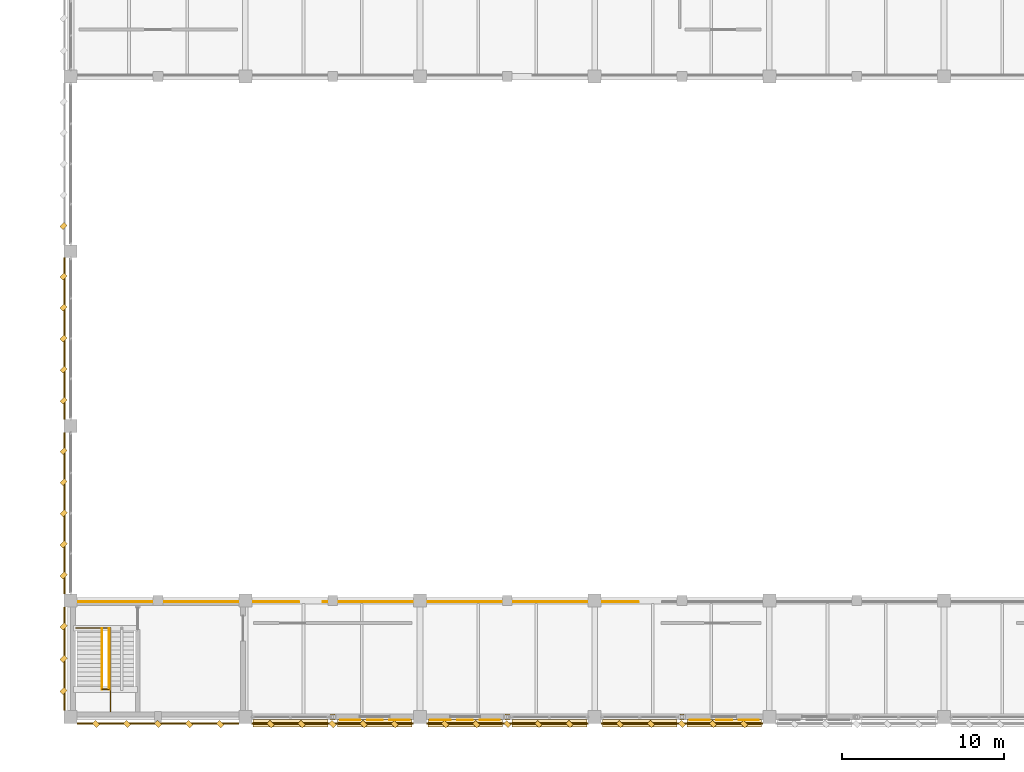
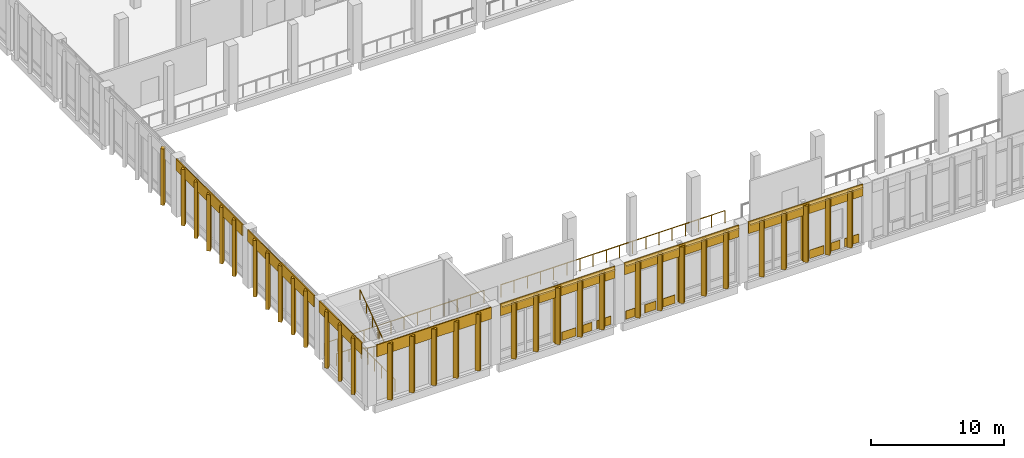
# One storey, part 164 of 180: 59 coverings, 6 railings.
"""IFC4 building model written with IfcOpenShell, lengths in metres."""

from ifc_helpers import new_model, si_unit, direction, frame, origin, origin_2d, place, context, subcontext, project, spatial, rectangle, circle, extrude, material, layer, layer_set, type_object, element, save


model = new_model("IFC4")

# Units and contexts
model_context = context("Model", 3, precision=1e-05, world=origin(), true_north=direction((0.0, 1.0)))
body_context = subcontext(model_context, "Body", "Model", "MODEL_VIEW")
ifc_project = project(units=[si_unit("LENGTHUNIT", "METRE"), si_unit("AREAUNIT", "SQUARE_METRE"), si_unit("VOLUMEUNIT", "CUBIC_METRE"), si_unit("PLANEANGLEUNIT", "RADIAN"), si_unit("MASSUNIT", "GRAM", prefix="KILO")], contexts=[model_context])

# Site, building, storey
site_placement = place(None, origin())
site = spatial("IfcSite", under=ifc_project, at=site_placement, CompositionType="ELEMENT")
building_placement = place(site_placement, origin())
building = spatial("IfcBuilding", under=site, at=building_placement, Name="Lusvemor Sports Hall", CompositionType="ELEMENT")
storey_placement = place(building_placement, frame((0.0, 0.0, 5.39990234375)))
storey = spatial("IfcBuildingStorey", under=building, at=storey_placement, Name="L01", CompositionType="ELEMENT", Elevation=5.39990234375)

# Coverings
ifc_material_1 = material(Name="Precast granite-faced Concrete C40/50 architectural cladding", Category="masonry")
ifc_layer_1 = layer(ifc_material_1, 0.055908203125)
ifc_layer_set_1 = layer_set([ifc_layer_1], Name="Precast granite-faced Concrete C40/50 architectural cladding")
covering_type_1 = type_object("IfcCoveringType", Name="CLAD_RELIEF_FRIEZE", PredefinedType="CLADDING", material=ifc_layer_set_1)
for number, where, z_axis, x_axis, name in (
    (1, (16.199951171875, 0.0, 0.0), (0.0, 0.0, 1.0), (1.0, 0.0, 0.0), "Boulevard L01 Pilaster Pier Casing S1"),
    (2, (27.0, 0.0, 0.0), (0.0, 0.0, 1.0), (1.0, 0.0, 0.0), "Boulevard L01 Pilaster Pier Casing S2"),
    (3, (37.800048828125, 0.0, 0.0), (0.0, 0.0, 1.0), (1.0, 0.0, 0.0), "Boulevard L01 Pilaster Pier Casing S3"),
):
    element("IfcCovering", number, at=place(storey_placement, frame(where, z_axis=z_axis, x_axis=x_axis)), inside=storey, type_object=covering_type_1, Name=name, PredefinedType="CLADDING", context=body_context, shape_type="SweptSolid", body=[
        extrude(rectangle(XDim=0.27001953125, YDim=0.3798828125, at=origin_2d()), origin(), (0.0, 0.0, 1.0), 4.699951171875),
    ])
ifc_material_2 = material(Name="Emerald polychrome glazed ceramic cladding on Concrete C40/50 backing", Category="concrete")
ifc_layer_2 = layer(ifc_material_2, 0.0458984375)
ifc_layer_set_2 = layer_set([ifc_layer_2], Name="Emerald polychrome glazed ceramic cladding on Concrete C40/50 backing")
covering_type_2 = type_object("IfcCoveringType", Name="CLAD_WAVE_EMERALD", PredefinedType="CLADDING", material=ifc_layer_set_2)
for number, where, z_axis, x_axis, name in (
    (4, (17.2900390625, -0.1904296875, 0.050048828125), (0.0, 0.0, 1.0), (1.0, 0.0, 0.0), "Art Nouveau Patterned Cladding PS-V1S1-1-2-1"),
    (5, (20.330078125, -0.1904296875, 0.050048828125), (0.0, 0.0, 1.0), (1.0, 0.0, 0.0), "Art Nouveau Patterned Cladding PS-V1S1-1-2-3"),
    (6, (22.8701171875, -0.1904296875, 0.050048828125), (0.0, 0.0, 1.0), (1.0, 0.0, 0.0), "Art Nouveau Patterned Cladding PS-V1S1-2-1-1"),
    (7, (25.909912109375, -0.1904296875, 0.050048828125), (0.0, 0.0, 1.0), (1.0, 0.0, 0.0), "Art Nouveau Patterned Cladding PS-V1S1-2-1-3"),
    (8, (38.889892578125, -0.1904296875, 0.050048828125), (0.0, 0.0, 1.0), (1.0, 0.0, 0.0), "Art Nouveau Patterned Cladding PS-V1S1-3-2-1"),
    (9, (41.929931640625, -0.1904296875, 0.050048828125), (0.0, 0.0, 1.0), (1.0, 0.0, 0.0), "Art Nouveau Patterned Cladding PS-V1S1-3-2-3"),
):
    element("IfcCovering", number, at=place(storey_placement, frame(where, z_axis=z_axis, x_axis=x_axis)), inside=storey, type_object=covering_type_2, Name=name, PredefinedType="CLADDING", context=body_context, shape_type="SweptSolid", body=[
        extrude(rectangle(XDim=1.246337890625, YDim=0.0458984375, at=origin_2d()), origin(), (0.0, 0.0, 1.0), 0.77001953125),
    ])
for number, where, z_axis, x_axis, name in (
    (10, (3.47998046875, -0.43994140625, 0.10009765625), (0.0, 0.0, 1.0), (0.707106781187, 0.707106781187, 0.0), "Patterned Diamond Cladding Rib 17"),
    (11, (7.320068359375, -0.43994140625, 0.10009765625), (0.0, 0.0, 1.0), (0.707106781187, 0.707106781187, 0.0), "Patterned Diamond Cladding Rib 19"),
    (12, (14.280029296875, -0.43994140625, 0.10009765625), (0.0, 0.0, 1.0), (0.707106781187, 0.707106781187, 0.0), "Patterned Diamond Cladding Rib 35"),
    (13, (18.1201171875, -0.43994140625, 0.10009765625), (0.0, 0.0, 1.0), (0.707106781187, 0.707106781187, 0.0), "Patterned Diamond Cladding Rib 37"),
    (14, (25.080078125, -0.43994140625, 0.10009765625), (0.0, 0.0, 1.0), (0.707106781187, 0.707106781187, 0.0), "Patterned Diamond Cladding Rib 53"),
    (15, (28.919921875, -0.43994140625, 0.10009765625), (0.0, 0.0, 1.0), (0.707106781187, 0.707106781187, 0.0), "Patterned Diamond Cladding Rib 55"),
    (16, (35.8798828125, -0.43994140625, 0.10009765625), (0.0, 0.0, 1.0), (0.707106781187, 0.707106781187, 0.0), "Patterned Diamond Cladding Rib 71"),
    (17, (39.719970703125, -0.43994140625, 0.10009765625), (0.0, 0.0, 1.0), (0.707106781187, 0.707106781187, 0.0), "Patterned Diamond Cladding Rib 73"),
):
    element("IfcCovering", number, at=place(storey_placement, frame(where, z_axis=z_axis, x_axis=x_axis)), inside=storey, type_object=covering_type_2, Name=name, PredefinedType="CLADDING", context=body_context, shape_type="SweptSolid", body=[
        extrude(rectangle(XDim=0.280029296875, YDim=0.3798828125, at=origin_2d()), origin(), (0.0, 0.0, 1.0), 5.199951171875),
    ])
for number, where, z_axis, x_axis, name in (
    (18, (-0.43994140625, 3.60009765625, 0.10009765625), (0.0, 0.0, 1.0), (0.707106781187, 0.707106781187, 0.0), "Patterned Diamond Cladding Rib 907"),
    (19, (-0.43994140625, 10.679931640625, 0.10009765625), (0.0, 0.0, 1.0), (0.707106781187, 0.707106781187, 0.0), "Patterned Diamond Cladding Rib 921"),
    (20, (-0.43994140625, 14.52001953125, 0.10009765625), (0.0, 0.0, 1.0), (0.707106781187, 0.707106781187, 0.0), "Patterned Diamond Cladding Rib 923"),
    (21, (-0.43994140625, 21.47998046875, 0.10009765625), (0.0, 0.0, 1.0), (0.707106781187, 0.707106781187, 0.0), "Patterned Diamond Cladding Rib 939"),
    (22, (-0.43994140625, 25.320068359375, 0.10009765625), (0.0, 0.0, 1.0), (0.707106781187, 0.707106781187, 0.0), "Patterned Diamond Cladding Rib 941"),
):
    element("IfcCovering", number, at=place(storey_placement, frame(where, z_axis=z_axis, x_axis=x_axis)), inside=storey, type_object=covering_type_2, Name=name, PredefinedType="CLADDING", context=body_context, shape_type="SweptSolid", body=[
        extrude(rectangle(XDim=0.3798828125, YDim=0.280029296875, at=origin_2d()), origin(), (0.0, 0.0, 1.0), 5.199951171875),
    ])
ifc_material_3 = material(Name="Warm terracotta Art Nouveau ceramic cladding on Concrete C40/50 backing", Category="masonry")
ifc_layer_3 = layer(ifc_material_3, 0.0380859375)
ifc_layer_set_3 = layer_set([ifc_layer_3], Name="Warm terracotta Art Nouveau ceramic cladding on Concrete C40/50 backing")
covering_type_3 = type_object("IfcCoveringType", Name="CLAD_WAVE_OCHRE", PredefinedType="CLADDING", material=ifc_layer_set_3)
for number, where, z_axis, x_axis, name in (
    (23, (18.81005859375, -0.1865234375, 0.050048828125), (0.0, 0.0, 1.0), (1.0, 0.0, 0.0), "Art Nouveau Patterned Cladding PS-V1S1-1-2-2"),
    (24, (24.389892578125, -0.1865234375, 0.050048828125), (0.0, 0.0, 1.0), (1.0, 0.0, 0.0), "Art Nouveau Patterned Cladding PS-V1S1-2-1-2"),
    (25, (40.409912109375, -0.1865234375, 0.050048828125), (0.0, 0.0, 1.0), (1.0, 0.0, 0.0), "Art Nouveau Patterned Cladding PS-V1S1-3-2-2"),
):
    element("IfcCovering", number, at=place(storey_placement, frame(where, z_axis=z_axis, x_axis=x_axis)), inside=storey, type_object=covering_type_3, Name=name, PredefinedType="CLADDING", context=body_context, shape_type="SweptSolid", body=[
        extrude(rectangle(XDim=0.972900390625, YDim=0.0380859375, at=origin_2d()), origin(), (0.0, 0.0, 1.0), 0.77001953125),
    ])
for number, where, z_axis, x_axis, name in (
    (26, (5.39990234375, -0.389892578125, 4.380126953125), (0.0, 0.0, 1.0), (1.0, 0.0, 0.0), "Art Nouveau Spandrel Cornice 15"),
    (27, (16.199951171875, -0.389892578125, 4.380126953125), (0.0, 0.0, 1.0), (1.0, 0.0, 0.0), "Art Nouveau Spandrel Cornice 33"),
    (28, (27.0, -0.389892578125, 4.380126953125), (0.0, 0.0, 1.0), (1.0, 0.0, 0.0), "Art Nouveau Spandrel Cornice 51"),
    (29, (37.800048828125, -0.389892578125, 4.380126953125), (0.0, 0.0, 1.0), (1.0, 0.0, 0.0), "Art Nouveau Spandrel Cornice 69"),
):
    element("IfcCovering", number, at=place(storey_placement, frame(where, z_axis=z_axis, x_axis=x_axis)), inside=storey, type_object=covering_type_3, Name=name, PredefinedType="CLADDING", context=body_context, shape_type="SweptSolid", body=[
        extrude(rectangle(XDim=9.97998046875, YDim=0.090087890625, at=origin_2d()), origin(), (0.0, 0.0, 1.0), 1.080078125),
    ])
covering_placement = place(storey_placement, frame((-0.389892578125, 3.60009765625, 4.380126953125), z_axis=(0.0, 0.0, 1.0), x_axis=(1.0, 0.0, 0.0)))
element("IfcCovering", 30, at=covering_placement, inside=storey, type_object=covering_type_3, Name="Art Nouveau Spandrel Cornice 905", PredefinedType="CLADDING", context=body_context, shape_type="SweptSolid", body=[
    extrude(rectangle(XDim=0.090087890625, YDim=6.3798828125, at=origin_2d()), origin(), (0.0, 0.0, 1.0), 1.080078125),
])
for number, where, z_axis, x_axis, name in (
    (31, (-0.389892578125, 12.60009765625, 4.380126953125), (0.0, 0.0, 1.0), (1.0, 0.0, 0.0), "Art Nouveau Spandrel Cornice 919"),
    (32, (-0.389892578125, 23.39990234375, 4.380126953125), (0.0, 0.0, 1.0), (1.0, 0.0, 0.0), "Art Nouveau Spandrel Cornice 937"),
):
    element("IfcCovering", number, at=place(storey_placement, frame(where, z_axis=z_axis, x_axis=x_axis)), inside=storey, type_object=covering_type_3, Name=name, PredefinedType="CLADDING", context=body_context, shape_type="SweptSolid", body=[
        extrude(rectangle(XDim=0.090087890625, YDim=9.97998046875, at=origin_2d()), origin(), (0.0, 0.0, 1.0), 1.080078125),
    ])
ifc_material_4 = material(Name="Warm terracotta Art Nouveau ceramic cladding on Concrete C40/50 backing", Category="masonry")
ifc_layer_4 = layer(ifc_material_4, 0.449951171875)
ifc_layer_set_4 = layer_set([ifc_layer_4], Name="Warm terracotta Art Nouveau ceramic cladding on Concrete C40/50 backing")
covering_type_4 = type_object("IfcCoveringType", Name="FIN_BRISE_CER_450", PredefinedType="MOLDING", material=ifc_layer_set_4)
for number, where, z_axis, x_axis, name in (
    (33, (13.590087890625, -0.3798828125, 5.18017578125), (0.0, 0.0, 1.0), (1.0, 0.0, 0.0), "Boulevard Coastal Sun Hood S-1.1"),
    (34, (18.81005859375, -0.3798828125, 5.18017578125), (0.0, 0.0, 1.0), (1.0, 0.0, 0.0), "Boulevard Coastal Sun Hood S-1.2"),
    (35, (24.389892578125, -0.3798828125, 5.18017578125), (0.0, 0.0, 1.0), (1.0, 0.0, 0.0), "Boulevard Coastal Sun Hood S-2.1"),
    (36, (29.610107421875, -0.3798828125, 5.18017578125), (0.0, 0.0, 1.0), (1.0, 0.0, 0.0), "Boulevard Coastal Sun Hood S-2.2"),
    (37, (35.18994140625, -0.3798828125, 5.18017578125), (0.0, 0.0, 1.0), (1.0, 0.0, 0.0), "Boulevard Coastal Sun Hood S-3.1"),
    (38, (40.409912109375, -0.3798828125, 5.18017578125), (0.0, 0.0, 1.0), (1.0, 0.0, 0.0), "Boulevard Coastal Sun Hood S-3.2"),
):
    element("IfcCovering", number, at=place(storey_placement, frame(where, z_axis=z_axis, x_axis=x_axis)), inside=storey, type_object=covering_type_4, Name=name, PredefinedType="MOLDING", context=body_context, shape_type="SweptSolid", body=[
        extrude(rectangle(XDim=4.6201171875, YDim=0.449951171875, at=origin_2d()), origin(), (0.0, 0.0, 1.0), 0.139892578125),
    ])
for number, where, z_axis, x_axis, name in (
    (39, (1.56005859375, -0.43994140625, 0.10009765625), (0.0, 0.0, 1.0), (0.707106781187, 0.707106781187, 0.0), "Patterned Diamond Cladding Rib 16"),
    (40, (5.39990234375, -0.43994140625, 0.10009765625), (0.0, 0.0, 1.0), (0.707106781187, 0.707106781187, 0.0), "Patterned Diamond Cladding Rib 18"),
    (41, (9.239990234375, -0.43994140625, 0.10009765625), (0.0, 0.0, 1.0), (0.707106781187, 0.707106781187, 0.0), "Patterned Diamond Cladding Rib 20"),
    (42, (12.360107421875, -0.43994140625, 0.10009765625), (0.0, 0.0, 1.0), (0.707106781187, 0.707106781187, 0.0), "Patterned Diamond Cladding Rib 34"),
    (43, (16.199951171875, -0.43994140625, 0.10009765625), (0.0, 0.0, 1.0), (0.707106781187, 0.707106781187, 0.0), "Patterned Diamond Cladding Rib 36"),
    (44, (20.0400390625, -0.43994140625, 0.10009765625), (0.0, 0.0, 1.0), (0.707106781187, 0.707106781187, 0.0), "Patterned Diamond Cladding Rib 38"),
    (45, (23.159912109375, -0.43994140625, 0.10009765625), (0.0, 0.0, 1.0), (0.707106781187, 0.707106781187, 0.0), "Patterned Diamond Cladding Rib 52"),
    (46, (27.0, -0.43994140625, 0.10009765625), (0.0, 0.0, 1.0), (0.707106781187, 0.707106781187, 0.0), "Patterned Diamond Cladding Rib 54"),
    (47, (30.840087890625, -0.43994140625, 0.10009765625), (0.0, 0.0, 1.0), (0.707106781187, 0.707106781187, 0.0), "Patterned Diamond Cladding Rib 56"),
    (48, (33.9599609375, -0.43994140625, 0.10009765625), (0.0, 0.0, 1.0), (0.707106781187, 0.707106781187, 0.0), "Patterned Diamond Cladding Rib 70"),
    (49, (37.800048828125, -0.43994140625, 0.10009765625), (0.0, 0.0, 1.0), (0.707106781187, 0.707106781187, 0.0), "Patterned Diamond Cladding Rib 72"),
    (50, (41.639892578125, -0.43994140625, 0.10009765625), (0.0, 0.0, 1.0), (0.707106781187, 0.707106781187, 0.0), "Patterned Diamond Cladding Rib 74"),
):
    element("IfcCovering", number, at=place(storey_placement, frame(where, z_axis=z_axis, x_axis=x_axis)), inside=storey, type_object=covering_type_4, Name=name, PredefinedType="MOLDING", context=body_context, shape_type="SweptSolid", body=[
        extrude(rectangle(XDim=0.280029296875, YDim=0.3798828125, at=origin_2d()), origin(), (0.0, 0.0, 1.0), 5.199951171875),
    ])
for number, where, z_axis, x_axis, name in (
    (51, (-0.43994140625, 1.60009765625, 0.10009765625), (0.0, 0.0, 1.0), (0.707106781187, 0.707106781187, 0.0), "Patterned Diamond Cladding Rib 906"),
    (52, (-0.43994140625, 5.60009765625, 0.10009765625), (0.0, 0.0, 1.0), (0.707106781187, 0.707106781187, 0.0), "Patterned Diamond Cladding Rib 908"),
    (53, (-0.43994140625, 8.760009765625, 0.10009765625), (0.0, 0.0, 1.0), (0.707106781187, 0.707106781187, 0.0), "Patterned Diamond Cladding Rib 920"),
    (54, (-0.43994140625, 12.60009765625, 0.10009765625), (0.0, 0.0, 1.0), (0.707106781187, 0.707106781187, 0.0), "Patterned Diamond Cladding Rib 922"),
    (55, (-0.43994140625, 16.43994140625, 0.10009765625), (0.0, 0.0, 1.0), (0.707106781187, 0.707106781187, 0.0), "Patterned Diamond Cladding Rib 924"),
    (56, (-0.43994140625, 19.56005859375, 0.10009765625), (0.0, 0.0, 1.0), (0.707106781187, 0.707106781187, 0.0), "Patterned Diamond Cladding Rib 938"),
    (57, (-0.43994140625, 23.39990234375, 0.10009765625), (0.0, 0.0, 1.0), (0.707106781187, 0.707106781187, 0.0), "Patterned Diamond Cladding Rib 940"),
    (58, (-0.43994140625, 27.239990234375, 0.10009765625), (0.0, 0.0, 1.0), (0.707106781187, 0.707106781187, 0.0), "Patterned Diamond Cladding Rib 942"),
    (59, (-0.43994140625, 30.360107421875, 0.10009765625), (0.0, 0.0, 1.0), (0.707106781187, 0.707106781187, 0.0), "Patterned Diamond Cladding Rib 956"),
):
    element("IfcCovering", number, at=place(storey_placement, frame(where, z_axis=z_axis, x_axis=x_axis)), inside=storey, type_object=covering_type_4, Name=name, PredefinedType="MOLDING", context=body_context, shape_type="SweptSolid", body=[
        extrude(rectangle(XDim=0.3798828125, YDim=0.280029296875, at=origin_2d()), origin(), (0.0, 0.0, 1.0), 5.199951171875),
    ])

# Railings
ifc_material_5 = material(Name="Bronze-finished wrought-steel Art Nouveau balustrade", Category="steel")
railing_type_1 = type_object("IfcRailingType", Name="RAIL_ATRIUM_BAL_115", PredefinedType="BALUSTRADE", material=ifc_material_5)
railing_1_placement = place(storey_placement, frame((0.199951171875, 7.1201171875, 0.0)))
element("IfcRailing", 60, at=railing_1_placement, inside=storey, type_object=railing_type_1, Name="Court 1 South Gallery Balustrade W", PredefinedType="BALUSTRADE", context=body_context, shape_type="SweptSolid", body=[
    extrude(circle(Radius=0.02392578125, at=origin_2d()), frame((0.0, 0.0, 1.1259765625), z_axis=(1.0, 0.0, 0.0), x_axis=(0.0, 1.0, 0.0)), (0.0, 0.0, 1.0), 13.900146484375),
    extrude(circle(Radius=0.02099609375, at=origin_2d()), origin(), (0.0, 0.0, 1.0), 1.101806640625),
    extrude(circle(Radius=0.02099609375, at=origin_2d()), frame((1.158447265625, 0.0, 0.0)), (0.0, 0.0, 1.0), 1.101806640625),
    extrude(circle(Radius=0.02099609375, at=origin_2d()), frame((2.316650390625, 0.0, 0.0)), (0.0, 0.0, 1.0), 1.101806640625),
    extrude(circle(Radius=0.02099609375, at=origin_2d()), frame((3.47509765625, 0.0, 0.0)), (0.0, 0.0, 1.0), 1.101806640625),
    extrude(circle(Radius=0.02099609375, at=origin_2d()), frame((4.63330078125, 0.0, 0.0)), (0.0, 0.0, 1.0), 1.101806640625),
    extrude(circle(Radius=0.02099609375, at=origin_2d()), frame((5.791748046875, 0.0, 0.0)), (0.0, 0.0, 1.0), 1.101806640625),
    extrude(circle(Radius=0.02099609375, at=origin_2d()), frame((6.9501953125, 0.0, 0.0)), (0.0, 0.0, 1.0), 1.101806640625),
    extrude(circle(Radius=0.02099609375, at=origin_2d()), frame((8.1083984375, 0.0, 0.0)), (0.0, 0.0, 1.0), 1.101806640625),
    extrude(circle(Radius=0.02099609375, at=origin_2d()), frame((9.266845703125, 0.0, 0.0)), (0.0, 0.0, 1.0), 1.101806640625),
    extrude(circle(Radius=0.02099609375, at=origin_2d()), frame((10.425048828125, 0.0, 0.0)), (0.0, 0.0, 1.0), 1.101806640625),
    extrude(circle(Radius=0.02099609375, at=origin_2d()), frame((11.58349609375, 0.0, 0.0)), (0.0, 0.0, 1.0), 1.101806640625),
    extrude(circle(Radius=0.02099609375, at=origin_2d()), frame((12.74169921875, 0.0, 0.0)), (0.0, 0.0, 1.0), 1.101806640625),
    extrude(circle(Radius=0.02099609375, at=origin_2d()), frame((13.900146484375, 0.0, 0.0)), (0.0, 0.0, 1.0), 1.101806640625),
])
railing_2_placement = place(storey_placement, frame((15.60009765625, 7.1201171875, 0.0)))
element("IfcRailing", 61, at=railing_2_placement, inside=storey, type_object=railing_type_1, Name="Court 1 South Gallery Balustrade M", PredefinedType="BALUSTRADE", context=body_context, shape_type="SweptSolid", body=[
    extrude(circle(Radius=0.02392578125, at=origin_2d()), frame((0.0, 0.0, 1.1259765625), z_axis=(1.0, 0.0, 0.0), x_axis=(0.0, 1.0, 0.0)), (0.0, 0.0, 1.0), 19.5),
    extrude(circle(Radius=0.02099609375, at=origin_2d()), origin(), (0.0, 0.0, 1.0), 1.101806640625),
    extrude(circle(Radius=0.02099609375, at=origin_2d()), frame((1.14697265625, 0.0, 0.0)), (0.0, 0.0, 1.0), 1.101806640625),
    extrude(circle(Radius=0.02099609375, at=origin_2d()), frame((2.294189453125, 0.0, 0.0)), (0.0, 0.0, 1.0), 1.101806640625),
    extrude(circle(Radius=0.02099609375, at=origin_2d()), frame((3.441162109375, 0.0, 0.0)), (0.0, 0.0, 1.0), 1.101806640625),
    extrude(circle(Radius=0.02099609375, at=origin_2d()), frame((4.588134765625, 0.0, 0.0)), (0.0, 0.0, 1.0), 1.101806640625),
    extrude(circle(Radius=0.02099609375, at=origin_2d()), frame((5.7353515625, 0.0, 0.0)), (0.0, 0.0, 1.0), 1.101806640625),
    extrude(circle(Radius=0.02099609375, at=origin_2d()), frame((6.88232421875, 0.0, 0.0)), (0.0, 0.0, 1.0), 1.101806640625),
    extrude(circle(Radius=0.02099609375, at=origin_2d()), frame((8.029296875, 0.0, 0.0)), (0.0, 0.0, 1.0), 1.101806640625),
    extrude(circle(Radius=0.02099609375, at=origin_2d()), frame((9.176513671875, 0.0, 0.0)), (0.0, 0.0, 1.0), 1.101806640625),
    extrude(circle(Radius=0.02099609375, at=origin_2d()), frame((10.323486328125, 0.0, 0.0)), (0.0, 0.0, 1.0), 1.101806640625),
    extrude(circle(Radius=0.02099609375, at=origin_2d()), frame((11.470703125, 0.0, 0.0)), (0.0, 0.0, 1.0), 1.101806640625),
    extrude(circle(Radius=0.02099609375, at=origin_2d()), frame((12.61767578125, 0.0, 0.0)), (0.0, 0.0, 1.0), 1.101806640625),
    extrude(circle(Radius=0.02099609375, at=origin_2d()), frame((13.7646484375, 0.0, 0.0)), (0.0, 0.0, 1.0), 1.101806640625),
    extrude(circle(Radius=0.02099609375, at=origin_2d()), frame((14.911865234375, 0.0, 0.0)), (0.0, 0.0, 1.0), 1.101806640625),
    extrude(circle(Radius=0.02099609375, at=origin_2d()), frame((16.058837890625, 0.0, 0.0)), (0.0, 0.0, 1.0), 1.101806640625),
    extrude(circle(Radius=0.02099609375, at=origin_2d()), frame((17.205810546875, 0.0, 0.0)), (0.0, 0.0, 1.0), 1.101806640625),
    extrude(circle(Radius=0.02099609375, at=origin_2d()), frame((18.35302734375, 0.0, 0.0)), (0.0, 0.0, 1.0), 1.101806640625),
    extrude(circle(Radius=0.02099609375, at=origin_2d()), frame((19.5, 0.0, 0.0)), (0.0, 0.0, 1.0), 1.101806640625),
])
ifc_material_6 = material(Name="Bronze-finished wrought-steel Art Nouveau balustrade", Category="steel")
railing_type_2 = type_object("IfcRailingType", Name="RAIL_HANDRAIL_092", PredefinedType="HANDRAIL", material=ifc_material_6)
railing_3_placement = place(storey_placement, frame((1.929931640625, 5.47998046875, 0.0)))
element("IfcRailing", 62, at=railing_3_placement, inside=storey, type_object=railing_type_2, Name="Stair STR-C6-L01 Handrail F1", PredefinedType="HANDRAIL", context=body_context, shape_type="SweptSolid", body=[
    extrude(circle(Radius=0.02392578125, at=origin_2d()), frame((0.0, 0.0, 0.89599609375), z_axis=(0.0, -0.813715715614, 0.581263050746), x_axis=(1.0, 0.0, 0.0)), (0.0, 0.0, 1.0), 4.6455078125),
    extrude(circle(Radius=0.02099609375, at=origin_2d()), origin(), (0.0, 0.0, 1.0), 0.871826171875),
    extrude(circle(Radius=0.02099609375, at=origin_2d()), frame((0.0, -0.945068359375, 0.675048828125)), (0.0, 0.0, 1.0), 0.871826171875),
    extrude(circle(Radius=0.02099609375, at=origin_2d()), frame((0.0, -1.89013671875, 1.35009765625)), (0.0, 0.0, 1.0), 0.871826171875),
    extrude(circle(Radius=0.02099609375, at=origin_2d()), frame((0.0, -2.8349609375, 2.025146484375)), (0.0, 0.0, 1.0), 0.871826171875),
    extrude(circle(Radius=0.02099609375, at=origin_2d()), frame((0.0, -3.780029296875, 2.7001953125)), (0.0, 0.0, 1.0), 0.871826171875),
])
railing_4_placement = place(storey_placement, frame((2.3701171875, 1.699951171875, 2.7001953125)))
element("IfcRailing", 63, at=railing_4_placement, inside=storey, type_object=railing_type_2, Name="Stair STR-C6-L01 Handrail F2", PredefinedType="HANDRAIL", context=body_context, shape_type="SweptSolid", body=[
    extrude(circle(Radius=0.02392578125, at=origin_2d()), frame((0.0, 0.0, 0.89599609375), z_axis=(0.0, 0.813740573448, 0.581228250453), x_axis=(-1.0, 0.0, 0.0)), (0.0, 0.0, 1.0), 4.645263671875),
    extrude(circle(Radius=0.02099609375, at=origin_2d()), origin(), (0.0, 0.0, 1.0), 0.871826171875),
    extrude(circle(Radius=0.02099609375, at=origin_2d()), frame((0.0, 0.945068359375, 0.675048828125)), (0.0, 0.0, 1.0), 0.871826171875),
    extrude(circle(Radius=0.02099609375, at=origin_2d()), frame((0.0, 1.89013671875, 1.35009765625)), (0.0, 0.0, 1.0), 0.871826171875),
    extrude(circle(Radius=0.02099609375, at=origin_2d()), frame((0.0, 2.8349609375, 2.02490234375)), (0.0, 0.0, 1.0), 0.871826171875),
    extrude(circle(Radius=0.02099609375, at=origin_2d()), frame((0.0, 3.780029296875, 2.699951171875)), (0.0, 0.0, 1.0), 0.871826171875),
])
ifc_material_7 = material(Name="Bronze-finished wrought-steel Art Nouveau balustrade", Category="steel")
railing_type_3 = type_object("IfcRailingType", Name="RAIL_STAIR_GUARD_112", PredefinedType="GUARDRAIL", material=ifc_material_7)
railing_5_placement = place(storey_placement, frame((0.340087890625, 5.5, 0.0)))
element("IfcRailing", 64, at=railing_5_placement, inside=storey, type_object=railing_type_3, Name="Stairwell C6 Top Guard (L01)", PredefinedType="GUARDRAIL", context=body_context, shape_type="SweptSolid", body=[
    extrude(circle(Radius=0.02392578125, at=origin_2d()), frame((0.0, 0.0, 1.09619140625), z_axis=(1.0, 0.0, 0.0), x_axis=(0.0, 1.0, 0.0)), (0.0, 0.0, 1.0), 2.119873046875),
    extrude(circle(Radius=0.02392578125, at=origin_2d()), frame((2.119873046875, 0.0, 1.09619140625), z_axis=(0.0, -1.0, 0.0), x_axis=(1.0, 0.0, 0.0)), (0.0, 0.0, 1.0), 5.159912109375),
    extrude(circle(Radius=0.02099609375, at=origin_2d()), origin(), (0.0, 0.0, 1.0), 1.072021484375),
    extrude(circle(Radius=0.02099609375, at=origin_2d()), frame((1.06005859375, 0.0, 0.0)), (0.0, 0.0, 1.0), 1.072021484375),
    extrude(circle(Radius=0.02099609375, at=origin_2d()), frame((2.119873046875, 0.0, 0.0)), (0.0, 0.0, 1.0), 1.072021484375),
    extrude(circle(Radius=0.02099609375, at=origin_2d()), frame((2.119873046875, -1.031982421875, 0.0)), (0.0, 0.0, 1.0), 1.072021484375),
    extrude(circle(Radius=0.02099609375, at=origin_2d()), frame((2.119873046875, -2.06396484375, 0.0)), (0.0, 0.0, 1.0), 1.072021484375),
    extrude(circle(Radius=0.02099609375, at=origin_2d()), frame((2.119873046875, -3.095947265625, 0.0)), (0.0, 0.0, 1.0), 1.072021484375),
    extrude(circle(Radius=0.02099609375, at=origin_2d()), frame((2.119873046875, -4.1279296875, 0.0)), (0.0, 0.0, 1.0), 1.072021484375),
    extrude(circle(Radius=0.02099609375, at=origin_2d()), frame((2.119873046875, -5.159912109375, 0.0)), (0.0, 0.0, 1.0), 1.072021484375),
])
railing_6_placement = place(storey_placement, frame((1.929931640625, 1.719970703125, 2.7001953125)))
element("IfcRailing", 65, at=railing_6_placement, inside=storey, type_object=railing_type_3, Name="Stair STR-C6-L01 Mid Well Guard", PredefinedType="GUARDRAIL", context=body_context, shape_type="SweptSolid", body=[
    extrude(circle(Radius=0.02392578125, at=origin_2d()), frame((0.0, 0.0, 1.09619140625), z_axis=(1.0, 0.0, 0.0), x_axis=(0.0, 1.0, 0.0)), (0.0, 0.0, 1.0), 0.440185546875),
    extrude(circle(Radius=0.02099609375, at=origin_2d()), origin(), (0.0, 0.0, 1.0), 1.072021484375),
    extrude(circle(Radius=0.02099609375, at=origin_2d()), frame((0.440185546875, 0.0, 0.0)), (0.0, 0.0, 1.0), 1.072021484375),
])

save(model, "model.ifc")
